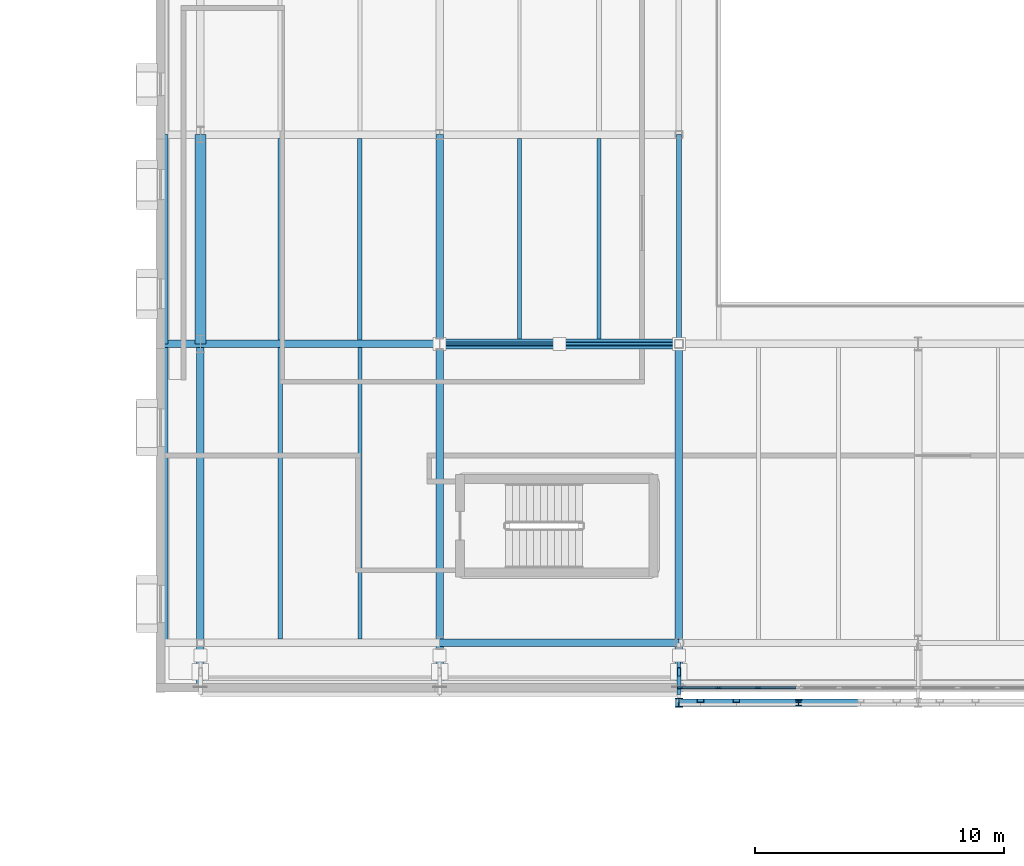
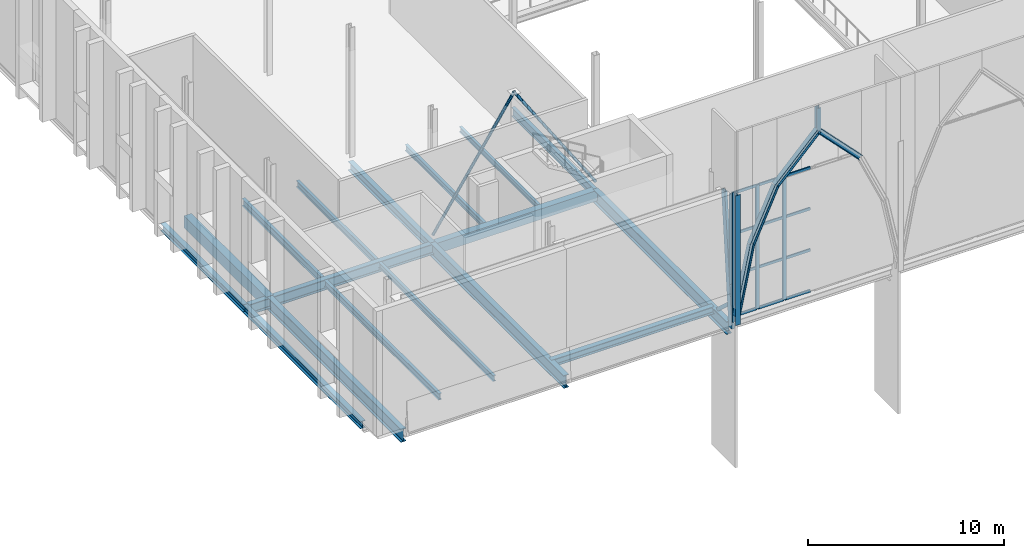
# One storey, part 24 of 79: 25 members, 17 beams, 1 element without a shape of its own.
"""IFC4 building model written with IfcOpenShell, lengths in metres."""

from ifc_helpers import new_model, si_unit, direction, frame, origin, origin_2d, place, context, subcontext, project, spatial, rectangle, hollow_rectangle, hollow_circle, i_section, extrude, material, layer, layer_set, material_profile, profile_set, type_object, element, aggregate, save


model = new_model("IFC4")

# Units and contexts
model_context = context("Model", 3, precision=1e-05, world=origin(), true_north=direction((0.0, 1.0)))
body_context = subcontext(model_context, "Body", "Model", "MODEL_VIEW")
ifc_project = project(units=[si_unit("LENGTHUNIT", "METRE"), si_unit("AREAUNIT", "SQUARE_METRE"), si_unit("VOLUMEUNIT", "CUBIC_METRE"), si_unit("PLANEANGLEUNIT", "RADIAN"), si_unit("MASSUNIT", "GRAM", prefix="KILO")], contexts=[model_context])

# Site, building, storey
site_placement = place(None, origin())
site = spatial("IfcSite", under=ifc_project, at=site_placement, CompositionType="ELEMENT")
building_placement = place(site_placement, origin())
building = spatial("IfcBuilding", under=site, at=building_placement, Name="Zereglee Splitstone Museum", CompositionType="ELEMENT")
storey_placement = place(building_placement, frame((0.0, 0.0, 9.0)))
storey = spatial("IfcBuildingStorey", under=building, at=storey_placement, Name="L02", CompositionType="ELEMENT", Elevation=9.0)

# Beam
ifc_material_1 = material(Name="Concrete C40/50", Category="concrete")
ifc_material_profile_1 = material_profile(ifc_material_1, rectangle(XDim=0.39990234375, YDim=0.64990234375, at=origin_2d()), Name="RC 400x650")
ifc_profile_set_1 = profile_set([ifc_material_profile_1], Name="Concrete C40/50")
beam_type_1 = type_object("IfcBeamType", Name="BG-04", PredefinedType="BEAM", material=ifc_profile_set_1)
beam_1_placement = place(storey_placement, frame((87.60009765625, 21.60009765625, -0.64501953125), z_axis=(1.0, 0.0, 0.0), x_axis=(0.0, 1.0, 0.0)))
element("IfcBeam", 1, at=beam_1_placement, inside=storey, type_object=beam_type_1, Name="Primary Girder L02 C (87.6-97.2)", PredefinedType="BEAM", context=body_context, shape_type="SweptSolid", body=[
    extrude(rectangle(XDim=0.39990234375, YDim=0.64990234375, at=origin_2d()), origin(), (0.0, 0.0, 1.0), 9.599853515625),
])

# Members
ifc_material_2 = material(Name="Steel S355J2H", Category="steel")
ifc_material_profile_2 = material_profile(ifc_material_2, hollow_circle(Radius=0.084228515625, WallThickness=0.008056640625, at=origin_2d()), Name="CHS 168.3x8")
ifc_profile_set_2 = profile_set([ifc_material_profile_2], Name="Steel S355J2H")
member_type_1 = type_object("IfcMemberType", Name="TB-05", PredefinedType="BRACE", material=ifc_profile_set_2)
for number, where, z_axis, x_axis, name in (
    (2, (87.60009765625, 21.60009765625, 0.1201171875), (0.551511100551, 0.0, 0.834167552695), (0.0, 1.0, 0.0), "Lateral Braced Frame Chevron L02-007A"),
    (3, (97.199951171875, 21.60009765625, 0.1201171875), (-0.551530619986, 0.0, 0.834154647063), (0.0, -1.0, 0.0), "Lateral Braced Frame Chevron L02-007B"),
):
    element("IfcMember", number, at=place(storey_placement, frame(where, z_axis=z_axis, x_axis=x_axis)), inside=storey, type_object=member_type_1, Name=name, PredefinedType="BRACE", context=body_context, shape_type="SweptSolid", body=[
        extrude(hollow_circle(Radius=0.084228515625, WallThickness=0.008056640625, at=origin_2d()), origin(), (0.0, 0.0, 1.0), 8.703125),
    ])

# Curtain wall, members
ifc_material_3 = material(Name="Triple-glazed low-E argon glass and bronze-anodised aluminium", Category="aluminium")
ifc_layer = layer(ifc_material_3, 0.219970703125)
ifc_layer_set = layer_set([ifc_layer], Name="Triple-glazed low-E argon glass and bronze-anodised aluminium")
curtain_wall_type = type_object("IfcCurtainWallType", Name="CW-0476-774", PredefinedType="USERDEFINED", material=ifc_layer_set)
curtain_wall_placement = place(storey_placement, origin())
curtain_wall = element("IfcCurtainWall", 4, at=curtain_wall_placement, inside=storey, type_object=curtain_wall_type, Name="Glazed Curtain Wall CW-0476-774 (L02)", ObjectType="GLAZED CURTAIN WALL", PredefinedType="USERDEFINED")
ifc_material_4 = material(Name="Thermally broken bronze-anodised aluminium", Category="aluminium")
ifc_material_profile_3 = material_profile(ifc_material_4, rectangle(XDim=0.074951171875, YDim=0.219970703125, at=origin_2d()), Name="CW MULL 75x220")
ifc_profile_set_3 = profile_set([ifc_material_profile_3], Name="Thermally broken bronze-anodised aluminium")
member_type_2 = type_object("IfcMemberType", Name="CWM-02", PredefinedType="MULLION", material=ifc_profile_set_3)
member_1_placement = place(storey_placement, frame((97.237548828125, 7.800048828125, 0.0), z_axis=(0.0, 0.0, 1.0), x_axis=(0.0, 1.0, 0.0)))
member_1 = element("IfcMember", 5, at=member_1_placement, type_object=member_type_2, Name="CW-0476-774 mullion 1", PredefinedType="MULLION", context=body_context, shape_type="SweptSolid", body=[
    extrude(rectangle(XDim=0.074951171875, YDim=0.219970703125, at=origin_2d()), origin(), (0.0, 0.0, 1.0), 7.739990234375),
])
member_2_placement = place(storey_placement, frame((98.78662109375, 7.800048828125, 0.0), z_axis=(0.0, 0.0, 1.0), x_axis=(0.0, 1.0, 0.0)))
member_2 = element("IfcMember", 6, at=member_2_placement, type_object=member_type_2, Name="CW-0476-774 mullion 2", PredefinedType="MULLION", context=body_context, shape_type="SweptSolid", body=[
    extrude(rectangle(XDim=0.074951171875, YDim=0.219970703125, at=origin_2d()), origin(), (0.0, 0.0, 1.0), 7.739990234375),
])
member_3_placement = place(storey_placement, frame((100.373291015625, 7.800048828125, 0.0), z_axis=(0.0, 0.0, 1.0), x_axis=(0.0, 1.0, 0.0)))
member_3 = element("IfcMember", 7, at=member_3_placement, type_object=member_type_2, Name="CW-0476-774 mullion 3", PredefinedType="MULLION", context=body_context, shape_type="SweptSolid", body=[
    extrude(rectangle(XDim=0.074951171875, YDim=0.219970703125, at=origin_2d()), origin(), (0.0, 0.0, 1.0), 7.739990234375),
])
ifc_material_profile_4 = material_profile(ifc_material_4, rectangle(XDim=0.074951171875, YDim=0.1650390625, at=origin_2d()), Name="CW TRAN 75x165")
ifc_profile_set_4 = profile_set([ifc_material_profile_4], Name="Thermally broken bronze-anodised aluminium")
member_type_3 = type_object("IfcMemberType", Name="CWT-02", PredefinedType="USERDEFINED", material=ifc_profile_set_4)
member_4_placement = place(storey_placement, frame((97.27490234375, 7.800048828125, 0.03759765625), z_axis=(1.0, 0.0, 0.0), x_axis=(0.0, 1.0, 0.0)))
member_4 = element("IfcMember", 8, at=member_4_placement, type_object=member_type_3, Name="CW-0476-774 transom 1.1", ObjectType="TRANSOM", PredefinedType="USERDEFINED", context=body_context, shape_type="SweptSolid", body=[
    extrude(rectangle(XDim=0.074951171875, YDim=0.1650390625, at=origin_2d()), origin(), (0.0, 0.0, 1.0), 1.474365234375),
])
member_5_placement = place(storey_placement, frame((97.27490234375, 7.800048828125, 2.580078125), z_axis=(1.0, 0.0, 0.0), x_axis=(0.0, 1.0, 0.0)))
member_5 = element("IfcMember", 9, at=member_5_placement, type_object=member_type_3, Name="CW-0476-774 transom 1.2", ObjectType="TRANSOM", PredefinedType="USERDEFINED", context=body_context, shape_type="SweptSolid", body=[
    extrude(rectangle(XDim=0.074951171875, YDim=0.1650390625, at=origin_2d()), origin(), (0.0, 0.0, 1.0), 1.474365234375),
])
member_6_placement = place(storey_placement, frame((97.27490234375, 7.800048828125, 5.159912109375), z_axis=(1.0, 0.0, 0.0), x_axis=(0.0, 1.0, 0.0)))
member_6 = element("IfcMember", 10, at=member_6_placement, type_object=member_type_3, Name="CW-0476-774 transom 1.3", ObjectType="TRANSOM", PredefinedType="USERDEFINED", context=body_context, shape_type="SweptSolid", body=[
    extrude(rectangle(XDim=0.074951171875, YDim=0.1650390625, at=origin_2d()), origin(), (0.0, 0.0, 1.0), 1.474365234375),
])
member_7_placement = place(storey_placement, frame((97.27490234375, 7.800048828125, 7.702392578125), z_axis=(1.0, 0.0, 0.0), x_axis=(0.0, 1.0, 0.0)))
member_7 = element("IfcMember", 11, at=member_7_placement, type_object=member_type_3, Name="CW-0476-774 transom 1.4", ObjectType="TRANSOM", PredefinedType="USERDEFINED", context=body_context, shape_type="SweptSolid", body=[
    extrude(rectangle(XDim=0.074951171875, YDim=0.1650390625, at=origin_2d()), origin(), (0.0, 0.0, 1.0), 1.474365234375),
])
member_8_placement = place(storey_placement, frame((98.82421875, 7.800048828125, 0.03759765625), z_axis=(1.0, 0.0, 0.0), x_axis=(0.0, 1.0, 0.0)))
member_8 = element("IfcMember", 12, at=member_8_placement, type_object=member_type_3, Name="CW-0476-774 transom 2.1", ObjectType="TRANSOM", PredefinedType="USERDEFINED", context=body_context, shape_type="SweptSolid", body=[
    extrude(rectangle(XDim=0.074951171875, YDim=0.1650390625, at=origin_2d()), origin(), (0.0, 0.0, 1.0), 1.51171875),
])
member_9_placement = place(storey_placement, frame((98.82421875, 7.800048828125, 2.580078125), z_axis=(1.0, 0.0, 0.0), x_axis=(0.0, 1.0, 0.0)))
member_9 = element("IfcMember", 13, at=member_9_placement, type_object=member_type_3, Name="CW-0476-774 transom 2.2", ObjectType="TRANSOM", PredefinedType="USERDEFINED", context=body_context, shape_type="SweptSolid", body=[
    extrude(rectangle(XDim=0.074951171875, YDim=0.1650390625, at=origin_2d()), origin(), (0.0, 0.0, 1.0), 1.51171875),
])
member_10_placement = place(storey_placement, frame((98.82421875, 7.800048828125, 5.159912109375), z_axis=(1.0, 0.0, 0.0), x_axis=(0.0, 1.0, 0.0)))
member_10 = element("IfcMember", 14, at=member_10_placement, type_object=member_type_3, Name="CW-0476-774 transom 2.3", ObjectType="TRANSOM", PredefinedType="USERDEFINED", context=body_context, shape_type="SweptSolid", body=[
    extrude(rectangle(XDim=0.074951171875, YDim=0.1650390625, at=origin_2d()), origin(), (0.0, 0.0, 1.0), 1.51171875),
])
member_11_placement = place(storey_placement, frame((98.82421875, 7.800048828125, 7.702392578125), z_axis=(1.0, 0.0, 0.0), x_axis=(0.0, 1.0, 0.0)))
member_11 = element("IfcMember", 15, at=member_11_placement, type_object=member_type_3, Name="CW-0476-774 transom 2.4", ObjectType="TRANSOM", PredefinedType="USERDEFINED", context=body_context, shape_type="SweptSolid", body=[
    extrude(rectangle(XDim=0.074951171875, YDim=0.1650390625, at=origin_2d()), origin(), (0.0, 0.0, 1.0), 1.51171875),
])
member_12_placement = place(storey_placement, frame((100.410888671875, 7.800048828125, 0.03759765625), z_axis=(1.0, 0.0, 0.0), x_axis=(0.0, 1.0, 0.0)))
member_12 = element("IfcMember", 16, at=member_12_placement, type_object=member_type_3, Name="CW-0476-774 transom 3.1", ObjectType="TRANSOM", PredefinedType="USERDEFINED", context=body_context, shape_type="SweptSolid", body=[
    extrude(rectangle(XDim=0.074951171875, YDim=0.1650390625, at=origin_2d()), origin(), (0.0, 0.0, 1.0), 1.47412109375),
])
member_13_placement = place(storey_placement, frame((100.410888671875, 7.800048828125, 2.580078125), z_axis=(1.0, 0.0, 0.0), x_axis=(0.0, 1.0, 0.0)))
member_13 = element("IfcMember", 17, at=member_13_placement, type_object=member_type_3, Name="CW-0476-774 transom 3.2", ObjectType="TRANSOM", PredefinedType="USERDEFINED", context=body_context, shape_type="SweptSolid", body=[
    extrude(rectangle(XDim=0.074951171875, YDim=0.1650390625, at=origin_2d()), origin(), (0.0, 0.0, 1.0), 1.47412109375),
])
member_14_placement = place(storey_placement, frame((100.410888671875, 7.800048828125, 5.159912109375), z_axis=(1.0, 0.0, 0.0), x_axis=(0.0, 1.0, 0.0)))
member_14 = element("IfcMember", 18, at=member_14_placement, type_object=member_type_3, Name="CW-0476-774 transom 3.3", ObjectType="TRANSOM", PredefinedType="USERDEFINED", context=body_context, shape_type="SweptSolid", body=[
    extrude(rectangle(XDim=0.074951171875, YDim=0.1650390625, at=origin_2d()), origin(), (0.0, 0.0, 1.0), 1.47412109375),
])
member_15_placement = place(storey_placement, frame((100.410888671875, 7.800048828125, 7.702392578125), z_axis=(1.0, 0.0, 0.0), x_axis=(0.0, 1.0, 0.0)))
member_15 = element("IfcMember", 19, at=member_15_placement, type_object=member_type_3, Name="CW-0476-774 transom 3.4", ObjectType="TRANSOM", PredefinedType="USERDEFINED", context=body_context, shape_type="SweptSolid", body=[
    extrude(rectangle(XDim=0.074951171875, YDim=0.1650390625, at=origin_2d()), origin(), (0.0, 0.0, 1.0), 1.47412109375),
])
aggregate(curtain_wall, [member_1, member_2, member_3, member_4, member_5, member_6, member_7, member_8, member_9, member_10, member_11, member_12, member_13, member_14, member_15])

# Members
ifc_material_5 = material(Name="Steel S355J2", Category="steel")
ifc_material_profile_5 = material_profile(ifc_material_5, i_section(OverallWidth=0.300048828125, OverallDepth=0.300048828125, WebThickness=0.010986328125, FlangeThickness=0.01904296875, FilletRadius=0.027099609375, at=origin_2d()), Name="HE 300 B")
ifc_profile_set_5 = profile_set([ifc_material_profile_5], Name="Steel S355J2")
member_type_4 = type_object("IfcMemberType", Name="TC-08", PredefinedType="CHORD", material=ifc_profile_set_5)
member_16_placement = place(storey_placement, frame((97.199951171875, 7.199951171875, 0.5), z_axis=(0.203451466719, 0.0, 0.97908503241), x_axis=(0.0, 1.0, 0.0)))
element("IfcMember", 20, at=member_16_placement, inside=storey, type_object=member_type_4, Name="Mughal Four-Centred Pointed Arch Rib PSQ-ATRS-1-1", PredefinedType="CHORD", context=body_context, shape_type="SweptSolid", body=[
    extrude(i_section(OverallWidth=0.300048828125, OverallDepth=0.300048828125, WebThickness=0.010986328125, FlangeThickness=0.01904296875, FilletRadius=0.027099609375, at=origin_2d()), origin(), (0.0, 0.0, 1.0), 4.246826171875),
])
member_17_placement = place(storey_placement, frame((98.06396484375, 7.199951171875, 4.657958984375), z_axis=(0.413792372507, 0.0, 0.910371282749), x_axis=(0.0, 1.0, 0.0)))
element("IfcMember", 21, at=member_17_placement, inside=storey, type_object=member_type_4, Name="Mughal Four-Centred Pointed Arch Rib PSQ-ATRS-1-2", PredefinedType="CHORD", context=body_context, shape_type="SweptSolid", body=[
    extrude(i_section(OverallWidth=0.300048828125, OverallDepth=0.300048828125, WebThickness=0.010986328125, FlangeThickness=0.01904296875, FilletRadius=0.027099609375, at=origin_2d()), origin(), (0.0, 0.0, 1.0), 3.47998046875),
])
for number, where, z_axis, x_axis, name in (
    (22, (99.50390625, 7.199951171875, 7.825927734375), (0.696162850583, 0.0, 0.717883894141), (0.0, 1.0, 0.0), "Mughal Four-Centred Pointed Arch Rib PSQ-ATRS-1-3"),
    (23, (102.0, 7.199951171875, 10.39990234375), (0.696162850583, 0.0, -0.717883894141), (0.0, 1.0, 0.0), "Mughal Four-Centred Pointed Arch Rib PSQ-ATRS-1-4"),
):
    element("IfcMember", number, at=place(storey_placement, frame(where, z_axis=z_axis, x_axis=x_axis)), inside=storey, type_object=member_type_4, Name=name, PredefinedType="CHORD", context=body_context, shape_type="SweptSolid", body=[
        extrude(i_section(OverallWidth=0.300048828125, OverallDepth=0.300048828125, WebThickness=0.010986328125, FlangeThickness=0.01904296875, FilletRadius=0.027099609375, at=origin_2d()), origin(), (0.0, 0.0, 1.0), 3.58544921875),
    ])
ifc_material_profile_6 = material_profile(ifc_material_5, i_section(OverallWidth=0.300048828125, OverallDepth=0.360107421875, WebThickness=0.012451171875, FlangeThickness=0.0224609375, FilletRadius=0.027099609375, at=origin_2d()), Name="HE 360 B")
ifc_profile_set_6 = profile_set([ifc_material_profile_6], Name="Steel S355J2")
member_type_5 = type_object("IfcMemberType", Name="TC-06", PredefinedType="CHORD", material=ifc_profile_set_6)
member_18_placement = place(storey_placement, frame((97.199951171875, 7.199951171875, 0.0), z_axis=(0.0, 0.0, 1.0), x_axis=(1.0, 0.0, 0.0)))
element("IfcMember", 24, at=member_18_placement, inside=storey, type_object=member_type_5, Name="Mughal Guldasta Hovering Portal Pier G05 L02", PredefinedType="CHORD", context=body_context, shape_type="SweptSolid", body=[
    extrude(i_section(OverallWidth=0.300048828125, OverallDepth=0.360107421875, WebThickness=0.012451171875, FlangeThickness=0.0224609375, FilletRadius=0.027099609375, at=origin_2d()), origin(), (0.0, 0.0, 1.0), 8.10009765625),
])

# Beams
ifc_material_profile_7 = material_profile(ifc_material_5, i_section(OverallWidth=0.300048828125, OverallDepth=0.550048828125, WebThickness=0.014892578125, FlangeThickness=0.029052734375, FilletRadius=0.027099609375, at=origin_2d()), Name="HE 550 B")
ifc_profile_set_7 = profile_set([ifc_material_profile_7], Name="Steel S355J2")
beam_type_2 = type_object("IfcBeamType", Name="BG-11", PredefinedType="BEAM", material=ifc_profile_set_7)
beam_2_placement = place(storey_placement, frame((87.60009765625, 21.60009765625, -0.594970703125), z_axis=(0.0, 1.0, 0.0), x_axis=(-1.0, 0.0, 0.0)))
element("IfcBeam", 25, at=beam_2_placement, inside=storey, type_object=beam_type_2, Name="Primary Girder L02 11 (21.6-30.0)", PredefinedType="BEAM", context=body_context, shape_type="SweptSolid", body=[
    extrude(i_section(OverallWidth=0.300048828125, OverallDepth=0.550048828125, WebThickness=0.014892578125, FlangeThickness=0.029052734375, FilletRadius=0.027099609375, at=origin_2d()), origin(), (0.0, 0.0, 1.0), 8.39990234375),
])
ifc_material_profile_8 = material_profile(ifc_material_5, i_section(OverallWidth=0.300048828125, OverallDepth=0.64990234375, WebThickness=0.01611328125, FlangeThickness=0.031005859375, FilletRadius=0.027099609375, at=origin_2d()), Name="HE 650 B")
ifc_profile_set_8 = profile_set([ifc_material_profile_8], Name="Steel S355J2")
beam_type_3 = type_object("IfcBeamType", Name="BG-09", PredefinedType="BEAM", material=ifc_profile_set_8)
beam_3_placement = place(storey_placement, frame((76.550048828125, 21.60009765625, -0.64501953125), z_axis=(1.0, 0.0, 0.0), x_axis=(0.0, 1.0, 0.0)))
element("IfcBeam", 26, at=beam_3_placement, inside=storey, type_object=beam_type_3, Name="Primary Girder L02 C (76.5-87.6)", PredefinedType="BEAM", context=body_context, shape_type="SweptSolid", body=[
    extrude(i_section(OverallWidth=0.300048828125, OverallDepth=0.64990234375, WebThickness=0.01611328125, FlangeThickness=0.031005859375, FilletRadius=0.027099609375, at=origin_2d()), origin(), (0.0, 0.0, 1.0), 11.050048828125),
])
ifc_material_profile_9 = material_profile(ifc_material_5, i_section(OverallWidth=0.300048828125, OverallDepth=0.800048828125, WebThickness=0.017578125, FlangeThickness=0.032958984375, FilletRadius=0.030029296875, at=origin_2d()), Name="HE 800 B")
ifc_profile_set_9 = profile_set([ifc_material_profile_9], Name="Steel S355J2")
beam_type_4 = type_object("IfcBeamType", Name="BG-07", PredefinedType="BEAM", material=ifc_profile_set_9)
for number, where, z_axis, x_axis, name in (
    (27, (78.0, 7.949951171875, -0.719970703125), (0.0, 1.0, 0.0), (-1.0, 0.0, 0.0), "Primary Girder L02 10 (8.0-21.6)"),
    (28, (87.60009765625, 7.949951171875, -0.719970703125), (0.0, 1.0, 0.0), (-1.0, 0.0, 0.0), "Primary Girder L02 11 (8.0-21.6)"),
    (29, (97.199951171875, 7.949951171875, -0.719970703125), (0.0, 1.0, 0.0), (-1.0, 0.0, 0.0), "Primary Girder L02 12 (8.0-21.6)"),
):
    element("IfcBeam", number, at=place(storey_placement, frame(where, z_axis=z_axis, x_axis=x_axis)), inside=storey, type_object=beam_type_4, Name=name, PredefinedType="BEAM", context=body_context, shape_type="SweptSolid", body=[
        extrude(i_section(OverallWidth=0.300048828125, OverallDepth=0.800048828125, WebThickness=0.017578125, FlangeThickness=0.032958984375, FilletRadius=0.030029296875, at=origin_2d()), origin(), (0.0, 0.0, 1.0), 13.650146484375),
    ])
ifc_material_profile_10 = material_profile(ifc_material_5, i_section(OverallWidth=0.2099609375, OverallDepth=0.550048828125, WebThickness=0.010986328125, FlangeThickness=0.01708984375, FilletRadius=0.02392578125, at=origin_2d()), Name="IPE 550")
ifc_profile_set_10 = profile_set([ifc_material_profile_10], Name="Steel S355J2")
beam_type_5 = type_object("IfcBeamType", Name="BG-16", PredefinedType="BEAM", material=ifc_profile_set_10)
beam_4_placement = place(storey_placement, frame((97.199951171875, 21.60009765625, -0.594970703125), z_axis=(0.0, 1.0, 0.0), x_axis=(-1.0, 0.0, 0.0)))
element("IfcBeam", 30, at=beam_4_placement, inside=storey, type_object=beam_type_5, Name="Primary Girder L02 12 (21.6-30.0)", PredefinedType="BEAM", context=body_context, shape_type="SweptSolid", body=[
    extrude(i_section(OverallWidth=0.2099609375, OverallDepth=0.550048828125, WebThickness=0.010986328125, FlangeThickness=0.01708984375, FilletRadius=0.02392578125, at=origin_2d()), origin(), (0.0, 0.0, 1.0), 8.39990234375),
])
ifc_material_profile_11 = material_profile(ifc_material_5, i_section(OverallWidth=0.159912109375, OverallDepth=0.330078125, WebThickness=0.007568359375, FlangeThickness=0.011474609375, FilletRadius=0.01806640625, at=origin_2d()), Name="IPE 330")
ifc_profile_set_11 = profile_set([ifc_material_profile_11], Name="Steel S355J2")
beam_type_6 = type_object("IfcBeamType", Name="BJ-05", PredefinedType="JOIST", material=ifc_profile_set_11)
beam_5_placement = place(storey_placement, frame((94.0, 21.800048828125, -0.485107421875), z_axis=(0.0, 1.0, 0.0), x_axis=(-1.0, 0.0, 0.0)))
element("IfcBeam", 31, at=beam_5_placement, inside=storey, type_object=beam_type_6, Name="Secondary Floor Joist L02-1082", PredefinedType="JOIST", context=body_context, shape_type="SweptSolid", body=[
    extrude(i_section(OverallWidth=0.159912109375, OverallDepth=0.330078125, WebThickness=0.007568359375, FlangeThickness=0.011474609375, FilletRadius=0.01806640625, at=origin_2d()), origin(), (0.0, 0.0, 1.0), 8.050048828125),
])
ifc_material_profile_12 = material_profile(ifc_material_5, i_section(OverallWidth=0.169921875, OverallDepth=0.360107421875, WebThickness=0.008056640625, FlangeThickness=0.0126953125, FilletRadius=0.01806640625, at=origin_2d()), Name="IPE 360")
ifc_profile_set_12 = profile_set([ifc_material_profile_12], Name="Steel S355J2")
beam_type_7 = type_object("IfcBeamType", Name="BJ-04", PredefinedType="JOIST", material=ifc_profile_set_12)
beam_6_placement = place(storey_placement, frame((84.39990234375, 9.75, -0.5), z_axis=(0.0, 1.0, 0.0), x_axis=(-1.0, 0.0, 0.0)))
element("IfcBeam", 32, at=beam_6_placement, inside=storey, type_object=beam_type_7, Name="Secondary Floor Joist L02-1053", PredefinedType="JOIST", context=body_context, shape_type="SweptSolid", body=[
    extrude(i_section(OverallWidth=0.169921875, OverallDepth=0.360107421875, WebThickness=0.008056640625, FlangeThickness=0.0126953125, FilletRadius=0.01806640625, at=origin_2d()), origin(), (0.0, 0.0, 1.0), 11.699951171875),
])
beam_7_placement = place(storey_placement, frame((90.800048828125, 21.800048828125, -0.5), z_axis=(0.0, 1.0, 0.0), x_axis=(-1.0, 0.0, 0.0)))
element("IfcBeam", 33, at=beam_7_placement, inside=storey, type_object=beam_type_7, Name="Secondary Floor Joist L02-1081", PredefinedType="JOIST", context=body_context, shape_type="SweptSolid", body=[
    extrude(i_section(OverallWidth=0.169921875, OverallDepth=0.360107421875, WebThickness=0.008056640625, FlangeThickness=0.0126953125, FilletRadius=0.01806640625, at=origin_2d()), origin(), (0.0, 0.0, 1.0), 8.050048828125),
])
ifc_material_profile_13 = material_profile(ifc_material_5, i_section(OverallWidth=0.179931640625, OverallDepth=0.39990234375, WebThickness=0.008544921875, FlangeThickness=0.013427734375, FilletRadius=0.02099609375, at=origin_2d()), Name="IPE 400")
ifc_profile_set_13 = profile_set([ifc_material_profile_13], Name="Steel S355J2")
beam_type_8 = type_object("IfcBeamType", Name="BJ-03", PredefinedType="JOIST", material=ifc_profile_set_13)
beam_8_placement = place(storey_placement, frame((81.199951171875, 9.75, -0.52001953125), z_axis=(0.0, 1.0, 0.0), x_axis=(-1.0, 0.0, 0.0)))
element("IfcBeam", 34, at=beam_8_placement, inside=storey, type_object=beam_type_8, Name="Secondary Floor Joist L02-1052", PredefinedType="JOIST", context=body_context, shape_type="SweptSolid", body=[
    extrude(i_section(OverallWidth=0.179931640625, OverallDepth=0.39990234375, WebThickness=0.008544921875, FlangeThickness=0.013427734375, FilletRadius=0.02099609375, at=origin_2d()), origin(), (0.0, 0.0, 1.0), 11.699951171875),
])
beam_9_placement = place(storey_placement, frame((84.39990234375, 21.75, -0.52001953125), z_axis=(0.0, 1.0, 0.0), x_axis=(-1.0, 0.0, 0.0)))
element("IfcBeam", 35, at=beam_9_placement, inside=storey, type_object=beam_type_8, Name="Secondary Floor Joist L02-1080", PredefinedType="JOIST", context=body_context, shape_type="SweptSolid", body=[
    extrude(i_section(OverallWidth=0.179931640625, OverallDepth=0.39990234375, WebThickness=0.008544921875, FlangeThickness=0.013427734375, FilletRadius=0.02099609375, at=origin_2d()), origin(), (0.0, 0.0, 1.0), 8.10009765625),
])
ifc_material_profile_14 = material_profile(ifc_material_5, i_section(OverallWidth=0.18994140625, OverallDepth=0.449951171875, WebThickness=0.009521484375, FlangeThickness=0.0146484375, FilletRadius=0.02099609375, at=origin_2d()), Name="IPE 450")
ifc_profile_set_14 = profile_set([ifc_material_profile_14], Name="Steel S355J2")
beam_type_9 = type_object("IfcBeamType", Name="BJ-02", PredefinedType="JOIST", material=ifc_profile_set_14)
beam_10_placement = place(storey_placement, frame((81.199951171875, 21.75, -0.544921875), z_axis=(0.0, 1.0, 0.0), x_axis=(-1.0, 0.0, 0.0)))
element("IfcBeam", 36, at=beam_10_placement, inside=storey, type_object=beam_type_9, Name="Secondary Floor Joist L02-1079", PredefinedType="JOIST", context=body_context, shape_type="SweptSolid", body=[
    extrude(i_section(OverallWidth=0.18994140625, OverallDepth=0.449951171875, WebThickness=0.009521484375, FlangeThickness=0.0146484375, FilletRadius=0.02099609375, at=origin_2d()), origin(), (0.0, 0.0, 1.0), 8.10009765625),
])

# Member
ifc_material_profile_15 = material_profile(ifc_material_5, i_section(OverallWidth=0.239990234375, OverallDepth=0.239990234375, WebThickness=0.010009765625, FlangeThickness=0.01708984375, FilletRadius=0.02099609375, at=origin_2d()), Name="HE 240 B")
ifc_profile_set_15 = profile_set([ifc_material_profile_15], Name="Steel S355J2")
member_type_6 = type_object("IfcMemberType", Name="TP-02", PredefinedType="POST", material=ifc_profile_set_15)
member_19_placement = place(storey_placement, frame((102.0, 7.199951171875, 10.39990234375), z_axis=(0.0, 0.0, 1.0), x_axis=(1.0, 0.0, 0.0)))
element("IfcMember", 37, at=member_19_placement, inside=storey, type_object=member_type_6, Name="Mughal Pishtaq Crown King-Post PSQ-ATRS-1", PredefinedType="POST", context=body_context, shape_type="SweptSolid", body=[
    extrude(i_section(OverallWidth=0.239990234375, OverallDepth=0.239990234375, WebThickness=0.010009765625, FlangeThickness=0.01708984375, FilletRadius=0.02099609375, at=origin_2d()), origin(), (0.0, 0.0, 1.0), 1.4150390625),
])

# Beams
ifc_material_profile_16 = material_profile(ifc_material_5, i_section(OverallWidth=0.300048828125, OverallDepth=0.449951171875, WebThickness=0.013916015625, FlangeThickness=0.02587890625, FilletRadius=0.027099609375, at=origin_2d()), Name="HE 450 B")
ifc_profile_set_16 = profile_set([ifc_material_profile_16], Name="Steel S355J2")
beam_type_10 = type_object("IfcBeamType", Name="SP-02", PredefinedType="SPANDREL", material=ifc_profile_set_16)
beam_11_placement = place(storey_placement, frame((87.60009765625, 9.60009765625, -0.544921875), z_axis=(1.0, 0.0, 0.0), x_axis=(0.0, 1.0, 0.0)))
element("IfcBeam", 38, at=beam_11_placement, inside=storey, type_object=beam_type_10, Name="Primary Girder L02 B (87.6-97.2)", PredefinedType="SPANDREL", context=body_context, shape_type="SweptSolid", body=[
    extrude(i_section(OverallWidth=0.300048828125, OverallDepth=0.449951171875, WebThickness=0.013916015625, FlangeThickness=0.02587890625, FilletRadius=0.027099609375, at=origin_2d()), origin(), (0.0, 0.0, 1.0), 9.599853515625),
])
beam_12_placement = place(storey_placement, frame((76.550048828125, 9.60009765625, -0.544921875), z_axis=(0.0, 1.0, 0.0), x_axis=(-1.0, 0.0, 0.0)))
element("IfcBeam", 39, at=beam_12_placement, inside=storey, type_object=beam_type_10, Name="Hovering Soffit Spandrel L02 Y=(9.6-21.6)", PredefinedType="SPANDREL", context=body_context, shape_type="SweptSolid", body=[
    extrude(i_section(OverallWidth=0.300048828125, OverallDepth=0.449951171875, WebThickness=0.013916015625, FlangeThickness=0.02587890625, FilletRadius=0.027099609375, at=origin_2d()), origin(), (0.0, 0.0, 1.0), 12.0),
])
beam_13_placement = place(storey_placement, frame((76.550048828125, 21.60009765625, -0.544921875), z_axis=(0.0, 1.0, 0.0), x_axis=(-1.0, 0.0, 0.0)))
element("IfcBeam", 40, at=beam_13_placement, inside=storey, type_object=beam_type_10, Name="Hovering Soffit Spandrel L02 Y=(21.6-30.0)", PredefinedType="SPANDREL", context=body_context, shape_type="SweptSolid", body=[
    extrude(i_section(OverallWidth=0.300048828125, OverallDepth=0.449951171875, WebThickness=0.013916015625, FlangeThickness=0.02587890625, FilletRadius=0.027099609375, at=origin_2d()), origin(), (0.0, 0.0, 1.0), 8.39990234375),
])
ifc_material_profile_17 = material_profile(ifc_material_1, rectangle(XDim=0.449951171875, YDim=0.75, at=origin_2d()), Name="RC 450x750")
ifc_profile_set_17 = profile_set([ifc_material_profile_17], Name="Concrete C40/50")
beam_type_11 = type_object("IfcBeamType", Name="SP-01", PredefinedType="SPANDREL", material=ifc_profile_set_17)
beam_14_placement = place(storey_placement, frame((78.0, 21.60009765625, -0.695068359375), z_axis=(0.0, 1.0, 0.0), x_axis=(-1.0, 0.0, 0.0)))
element("IfcBeam", 41, at=beam_14_placement, inside=storey, type_object=beam_type_11, Name="Primary Girder L02 10 (21.6-30.0)", PredefinedType="SPANDREL", context=body_context, shape_type="SweptSolid", body=[
    extrude(rectangle(XDim=0.449951171875, YDim=0.75, at=origin_2d()), origin(), (0.0, 0.0, 1.0), 8.39990234375),
])

# Members
ifc_material_profile_18 = material_profile(ifc_material_2, hollow_rectangle(XDim=0.14990234375, YDim=0.35009765625, WallThickness=0.012451171875, at=origin_2d()), Name="RHS 350x150x12.5")
ifc_profile_set_18 = profile_set([ifc_material_profile_18], Name="Steel S355J2H")
member_type_7 = type_object("IfcMemberType", Name="FS-R0", PredefinedType="STRUT", material=ifc_profile_set_18)
member_20_placement = place(storey_placement, frame((97.199951171875, 7.695068359375, -0.570068359375), z_axis=(0.0, 0.090888526295, 0.995861072534), x_axis=(-1.0, 0.0, 0.0)))
element("IfcMember", 42, at=member_20_placement, inside=storey, type_object=member_type_7, Name="Split-Rock Continuous Facet Strut FH-V2SW L02-03", PredefinedType="STRUT", context=body_context, shape_type="SweptSolid", body=[
    extrude(hollow_rectangle(XDim=0.14990234375, YDim=0.35009765625, WallThickness=0.012451171875, at=origin_2d()), origin(), (0.0, 0.0, 1.0), 8.174072265625),
])
ifc_material_profile_19 = material_profile(ifc_material_2, hollow_rectangle(XDim=0.1201171875, YDim=0.199951171875, WallThickness=0.008056640625, at=origin_2d()), Name="RHS 200x120x8")
ifc_profile_set_19 = profile_set([ifc_material_profile_19], Name="Steel S355J2H")
member_type_8 = type_object("IfcMemberType", Name="FS-T1", PredefinedType="STRUT", material=ifc_profile_set_19)
member_21_placement = place(storey_placement, frame((97.199951171875, 9.10009765625, -0.280029296875), z_axis=(0.0, -0.739099080586, 0.673596725851), x_axis=(1.0, 0.0, 0.0)))
element("IfcMember", 43, at=member_21_placement, inside=storey, type_object=member_type_8, Name="Facet Tie-Back Strut FH-V2SW L02-03", PredefinedType="STRUT", context=body_context, shape_type="SweptSolid", body=[
    extrude(hollow_rectangle(XDim=0.1201171875, YDim=0.199951171875, WallThickness=0.008056640625, at=origin_2d()), origin(), (0.0, 0.0, 1.0), 1.721923828125),
])

save(model, "model.ifc")
